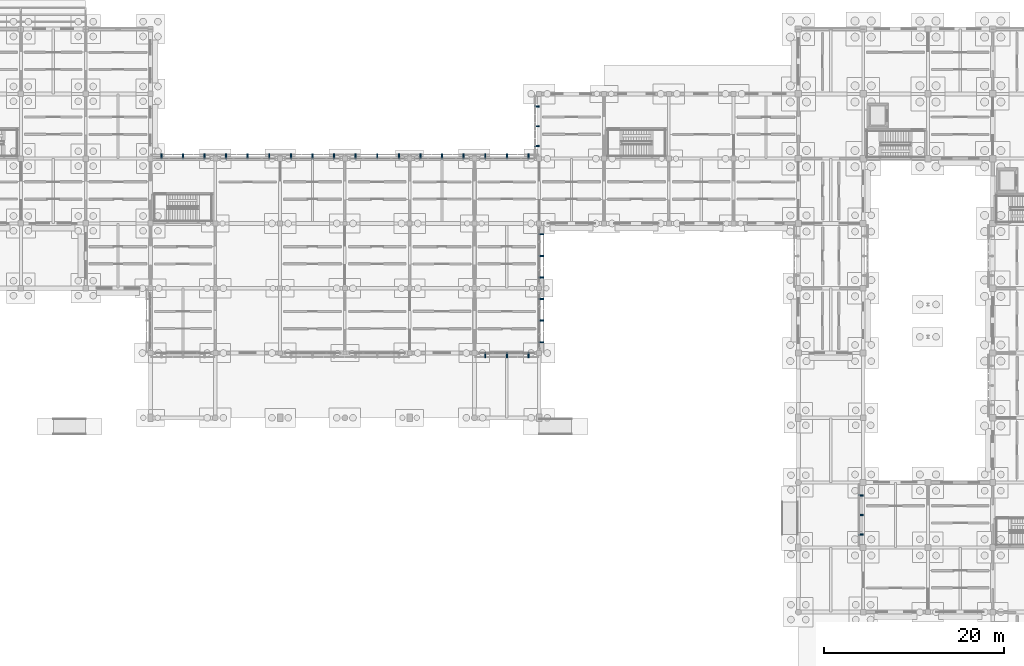
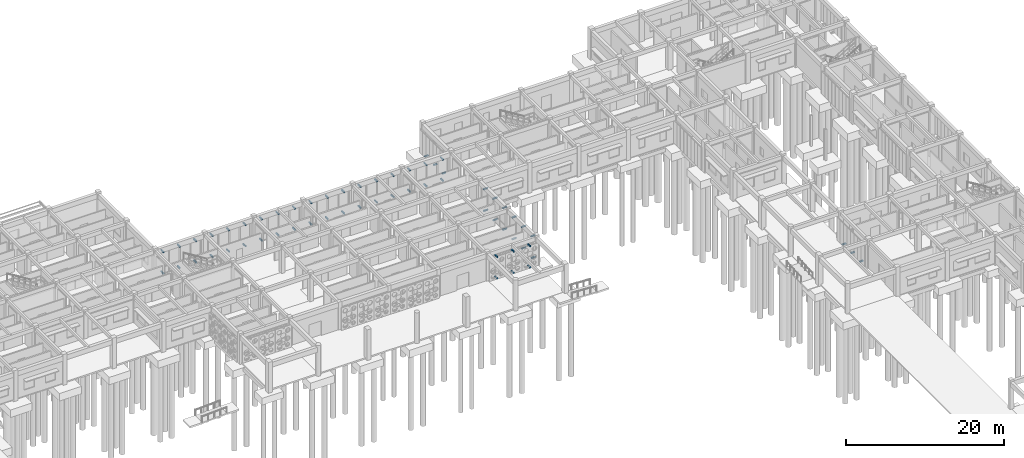
# One storey, part 89 of 111: 60 discrete accessories.
"""IFC4 building model written with IfcOpenShell, lengths in metres."""

import ifcopenshell
import ifcopenshell.guid

model = None  # the IFC model being written
_history = None  # IfcOwnerHistory: only IFC2X3 demands one
_inside = {}  # id of a spatial element -> (the spatial element, [elements in it])
_under = {}  # id of a project, library or spatial element -> (it, [spatial elements below it])
_declared = {}  # id of a project -> (the project, [libraries it declares])
_typed = {}  # id of a type object -> (the type object, [elements of that type])
_made_of = {}  # id of a material, layer set ... -> (it, [elements and type objects made of it])


def new_model(schema):
    """Start an empty IFC model of exactly this schema.

    Asked for "IFC4X3", IfcOpenShell would pick the latest addendum, in which some entities
    have other attributes; the version numbers below select the first issue.
    IFC2X3 requires an IfcOwnerHistory on every rooted entity: one is made here for all.
    """
    global model, _history
    if schema == "IFC4X3":
        model = ifcopenshell.file(schema_version=(4, 3, 0, 0))
    else:
        model = ifcopenshell.file(schema=schema)
    _inside.clear()
    _under.clear()
    _declared.clear()
    _typed.clear()
    _made_of.clear()
    _history = None
    if model.schema == "IFC2X3":
        org = make("IfcOrganization", Name="unknown")
        user = make(
            "IfcPersonAndOrganization",
            ThePerson=make("IfcPerson", FamilyName="unknown"),
            TheOrganization=org,
        )
        app = make(
            "IfcApplication",
            ApplicationDeveloper=org,
            Version="unknown",
            ApplicationFullName="unknown",
            ApplicationIdentifier="unknown",
        )
        _history = make(
            "IfcOwnerHistory",
            OwningUser=user,
            OwningApplication=app,
            ChangeAction="ADDED",
            CreationDate=0,
        )
    return model


def make(cls, **values):
    """One entity of the class cls with the attributes given. An attribute that is None is left unset."""
    return model.create_entity(
        cls, **{name: value for name, value in values.items() if value is not None}
    )


def rooted(cls, **values):
    """An entity with a GlobalId (a new one), such as an element, a storey or a relation."""
    return make(cls, GlobalId=ifcopenshell.guid.new(), OwnerHistory=_history, **values)


def si_unit(unit_type, name, prefix=None):
    """IfcSIUnit, for example si_unit("LENGTHUNIT", "METRE", prefix="MILLI")."""
    return make("IfcSIUnit", UnitType=unit_type, Prefix=prefix, Name=name)


def assignment(units):
    """IfcUnitAssignment: the units of a project."""
    return None if units is None else make("IfcUnitAssignment", Units=units)


def point(xyz):
    """IfcCartesianPoint."""
    return None if xyz is None else make("IfcCartesianPoint", Coordinates=xyz)


def direction(xyz):
    """IfcDirection."""
    return None if xyz is None else make("IfcDirection", DirectionRatios=xyz)


def frame(location, z_axis=None, x_axis=None):
    """IfcAxis2Placement3D, a coordinate frame: its origin and axes. An axis left out is left unset."""
    return make(
        "IfcAxis2Placement3D",
        Location=point(location),
        Axis=direction(z_axis),
        RefDirection=direction(x_axis),
    )


def frame_2d(location, x_axis=None):
    """IfcAxis2Placement2D, a coordinate frame in the plane: its origin and x axis."""
    return make(
        "IfcAxis2Placement2D", Location=point(location), RefDirection=direction(x_axis)
    )


def origin():
    """The frame at (0, 0, 0) with its axes left unset."""
    return frame((0.0, 0.0, 0.0))


def origin_2d():
    """The frame at (0, 0) in the plane with its x axis left unset."""
    return frame_2d((0.0, 0.0))


def place(relative_to, where):
    """IfcLocalPlacement: puts the frame where relative to a parent placement (None: the world)."""
    return make(
        "IfcLocalPlacement", PlacementRelTo=relative_to, RelativePlacement=where
    )


def context(
    kind, dimensions, precision=None, world=None, true_north=None, identifier=None
):
    """IfcGeometricRepresentationContext, for example the 3D "Model" context."""
    return make(
        "IfcGeometricRepresentationContext",
        ContextIdentifier=identifier,
        ContextType=kind,
        CoordinateSpaceDimension=dimensions,
        Precision=precision,
        WorldCoordinateSystem=world,
        TrueNorth=true_north,
    )


def subcontext(parent, identifier, kind, view, scale=None):
    """IfcGeometricRepresentationSubContext, for example "Body" below "Model"."""
    return make(
        "IfcGeometricRepresentationSubContext",
        ContextIdentifier=identifier,
        ContextType=kind,
        ParentContext=parent,
        TargetScale=scale,
        TargetView=view,
    )


def project(units=None, contexts=None):
    """IfcProject with its units and contexts."""
    return rooted(
        "IfcProject",
        Name="project",
        RepresentationContexts=contexts,
        UnitsInContext=assignment(units),
    )


def spatial(cls, under=None, at=None, **own):
    """A site, building, storey or space (cls), placed at a placement, below another one or the project."""
    s = rooted(cls, ObjectPlacement=at, **own)
    if under is not None:
        _under.setdefault(under.id(), (under, []))[1].append(s)
    return s


def profile(cls, at=None, kind="AREA", **sizes):
    """A parametric profile (cls). Its sizes go by their IFC names, for example OverallWidth=200.0."""
    return make(cls, ProfileType=kind, Position=at, **sizes)


def rectangle(**sizes):
    """IfcRectangleProfileDef."""
    return profile("IfcRectangleProfileDef", **sizes)


def extrude(swept, where, along, depth):
    """IfcExtrudedAreaSolid: the profile swept, set in the frame where, extruded along a direction by depth."""
    return make(
        "IfcExtrudedAreaSolid",
        SweptArea=swept,
        Position=where,
        ExtrudedDirection=direction(along),
        Depth=depth,
    )


def shape(context_of_items, identifier, shape_type, items):
    """IfcShapeRepresentation: the items that make up one representation, for example the "Body"."""
    return make(
        "IfcShapeRepresentation",
        ContextOfItems=context_of_items,
        RepresentationIdentifier=identifier,
        RepresentationType=shape_type,
        Items=items,
    )


def material(Name=None, Category=None):
    """IfcMaterial."""
    return make("IfcMaterial", Name=Name, Category=Category)


def made_of(thing, what):
    """Note that an element or type object is made of a material, layer set ...; save() writes the relation."""
    if what is not None:
        _made_of.setdefault(what.id(), (what, []))[1].append(thing)
    return thing


def type_object(cls, material=None, **own):
    """A type object (cls), such as IfcWallType, which elements share."""
    return made_of(rooted(cls, **own), material)


def element(
    cls,
    number,
    at=None,
    inside=None,
    cuts=None,
    type_object=None,
    material=None,
    context=None,
    identifier="Body",
    shape_type=None,
    held_by="IfcProductDefinitionShape",
    body=None,
    shapes=None,
    **own,
):
    """One element of the class cls, such as IfcWall. Its Tag is "e" and its number.

    at: its placement. inside: the storey or other place that contains it. cuts: it is an
    opening in that element (IfcRelVoidsElement). A single representation is given by context,
    identifier, shape_type and body (its items); several are given by shapes. held_by: the class
    of the entity that holds the representations. save() writes the other relations.
    """
    e = rooted(cls, Tag="e%d" % number, ObjectPlacement=at, **own)
    if body is not None:
        shapes = [shape(context, identifier, shape_type, body)]
    if shapes is not None:
        e.Representation = make(held_by, Representations=shapes)
    if inside is not None:
        _inside.setdefault(inside.id(), (inside, []))[1].append(e)
    if cuts is not None:
        rooted(
            "IfcRelVoidsElement", RelatingBuildingElement=cuts, RelatedOpeningElement=e
        )
    if type_object is not None:
        _typed.setdefault(type_object.id(), (type_object, []))[1].append(e)
    return made_of(e, material)


def aggregate(whole, parts):
    """IfcRelAggregates: a whole, such as a stair, and the parts it consists of."""
    return rooted("IfcRelAggregates", RelatingObject=whole, RelatedObjects=parts)


def save(model, path):
    """Write the relations noted so far, then the file.

    IfcRelAggregates (storeys below a building ...), IfcRelContainedInSpatialStructure (elements
    in a storey), IfcRelDefinesByType, IfcRelAssociatesMaterial and IfcRelDeclares: one each for
    every whole, place, type object, material and project.
    """
    for whole, parts in _under.values():
        aggregate(whole, parts)
    for where, things in _inside.values():
        rooted(
            "IfcRelContainedInSpatialStructure",
            RelatedElements=things,
            RelatingStructure=where,
        )
    for kind, things in _typed.values():
        rooted("IfcRelDefinesByType", RelatedObjects=things, RelatingType=kind)
    for what, things in _made_of.values():
        rooted("IfcRelAssociatesMaterial", RelatedObjects=things, RelatingMaterial=what)
    for by, libraries in _declared.values():
        rooted("IfcRelDeclares", RelatingContext=by, RelatedDefinitions=libraries)
    model.write(path)


model = new_model("IFC4")

# Units and contexts
model_context = context("Model", 3, precision=1e-05, world=origin(), true_north=direction((0.0, 1.0)))
body_context = subcontext(model_context, "Body", "Model", "MODEL_VIEW")
ifc_project = project(units=[si_unit("LENGTHUNIT", "METRE"), si_unit("AREAUNIT", "SQUARE_METRE"), si_unit("VOLUMEUNIT", "CUBIC_METRE"), si_unit("PLANEANGLEUNIT", "RADIAN"), si_unit("MASSUNIT", "GRAM", prefix="KILO")], contexts=[model_context])

# Site, building, storey
site_placement = place(None, origin())
site = spatial("IfcSite", under=ifc_project, at=site_placement, CompositionType="ELEMENT")
building_placement = place(site_placement, origin())
building = spatial("IfcBuilding", under=site, at=building_placement, Name="Aldebral Square Health Centre", CompositionType="ELEMENT")
storey_placement = place(building_placement, origin())
storey = spatial("IfcBuildingStorey", under=building, at=storey_placement, Name="L00", CompositionType="ELEMENT", Elevation=0.0)

# Discrete accessories
ifc_material = material(Name="Steel S355JR", Category="steel")
discrete_accessory_type_1 = type_object("IfcDiscreteAccessoryType", Name="ACC-BRK-1", PredefinedType="BRACKET", material=ifc_material)
for number, where, z_axis, x_axis, name in (
    (1, (107.77001953125, 106.583984375, -0.009765625), (0.0, 0.0, 1.0), (0.0, 1.0, 0.0), "L00 finned curtain-wall bracket L00-V5-15-14-W.1"),
    (2, (107.77001953125, 104.39990234375, -0.009765625), (0.0, 0.0, 1.0), (0.0, 1.0, 0.0), "L00 finned curtain-wall bracket L00-V5-15-14-W.2"),
    (3, (107.77001953125, 102.216064453125, -0.009765625), (0.0, 0.0, 1.0), (0.0, 1.0, 0.0), "L00 finned curtain-wall bracket L00-V5-15-14-W.3"),
    (4, (143.77001953125, 63.384033203125, -0.009765625), (0.0, 0.0, 1.0), (0.0, 1.0, 0.0), "L00 finned curtain-wall bracket L00-V5-20-08-W.1"),
    (5, (143.77001953125, 61.199951171875, -0.009765625), (0.0, 0.0, 1.0), (0.0, 1.0, 0.0), "L00 finned curtain-wall bracket L00-V5-20-08-W.2"),
    (6, (143.77001953125, 59.01611328125, -0.009765625), (0.0, 0.0, 1.0), (0.0, 1.0, 0.0), "L00 finned curtain-wall bracket L00-V5-20-08-W.3"),
):
    element("IfcDiscreteAccessory", number, at=place(storey_placement, frame(where, z_axis=z_axis, x_axis=x_axis)), inside=storey, type_object=discrete_accessory_type_1, Name=name, PredefinedType="BRACKET", context=body_context, shape_type="SweptSolid", body=[
        extrude(rectangle(XDim=0.159912109375, YDim=0.52001953125, at=origin_2d()), origin(), (0.0, 0.0, 1.0), 0.139892578125),
    ])
discrete_accessory_type_2 = type_object("IfcDiscreteAccessoryType", Name="ACC-BRK-2", PredefinedType="BRACKET", material=ifc_material)
for number, where, z_axis, x_axis, name in (
    (7, (70.800048828125, 101.030029296875, 0.0), (0.0, 0.0, 1.0), (1.0, 0.0, 0.0), "L00 screen support bracket L00-V1-09-13-N.1 base"),
    (8, (70.800048828125, 101.030029296875, 3.2900390625), (0.0, 0.0, 1.0), (1.0, 0.0, 0.0), "L00 screen support bracket L00-V1-09-13-N.1 head"),
    (9, (68.39990234375, 101.030029296875, 0.0), (0.0, 0.0, 1.0), (1.0, 0.0, 0.0), "L00 screen support bracket L00-V1-09-13-N.2 base"),
    (10, (68.39990234375, 101.030029296875, 3.2900390625), (0.0, 0.0, 1.0), (1.0, 0.0, 0.0), "L00 screen support bracket L00-V1-09-13-N.2 head"),
    (11, (66.0, 101.030029296875, 0.0), (0.0, 0.0, 1.0), (1.0, 0.0, 0.0), "L00 screen support bracket L00-V1-09-13-N.3 base"),
    (12, (66.0, 101.030029296875, 3.2900390625), (0.0, 0.0, 1.0), (1.0, 0.0, 0.0), "L00 screen support bracket L00-V1-09-13-N.3 head"),
    (13, (78.0, 101.030029296875, 0.0), (0.0, 0.0, 1.0), (1.0, 0.0, 0.0), "L00 screen support bracket L00-V1-10-13-N.1 base"),
    (14, (78.0, 101.030029296875, 3.2900390625), (0.0, 0.0, 1.0), (1.0, 0.0, 0.0), "L00 screen support bracket L00-V1-10-13-N.1 head"),
    (15, (75.60009765625, 101.030029296875, 0.0), (0.0, 0.0, 1.0), (1.0, 0.0, 0.0), "L00 screen support bracket L00-V1-10-13-N.2 base"),
    (16, (75.60009765625, 101.030029296875, 3.2900390625), (0.0, 0.0, 1.0), (1.0, 0.0, 0.0), "L00 screen support bracket L00-V1-10-13-N.2 head"),
    (17, (73.199951171875, 101.030029296875, 0.0), (0.0, 0.0, 1.0), (1.0, 0.0, 0.0), "L00 screen support bracket L00-V1-10-13-N.3 base"),
    (18, (73.199951171875, 101.030029296875, 3.2900390625), (0.0, 0.0, 1.0), (1.0, 0.0, 0.0), "L00 screen support bracket L00-V1-10-13-N.3 head"),
    (19, (85.199951171875, 101.030029296875, 0.0), (0.0, 0.0, 1.0), (1.0, 0.0, 0.0), "L00 screen support bracket L00-V1-11-13-N.1 base"),
    (20, (85.199951171875, 101.030029296875, 3.2900390625), (0.0, 0.0, 1.0), (1.0, 0.0, 0.0), "L00 screen support bracket L00-V1-11-13-N.1 head"),
    (21, (82.800048828125, 101.030029296875, 0.0), (0.0, 0.0, 1.0), (1.0, 0.0, 0.0), "L00 screen support bracket L00-V1-11-13-N.2 base"),
    (22, (82.800048828125, 101.030029296875, 3.2900390625), (0.0, 0.0, 1.0), (1.0, 0.0, 0.0), "L00 screen support bracket L00-V1-11-13-N.2 head"),
    (23, (80.39990234375, 101.030029296875, 0.0), (0.0, 0.0, 1.0), (1.0, 0.0, 0.0), "L00 screen support bracket L00-V1-11-13-N.3 base"),
    (24, (80.39990234375, 101.030029296875, 3.2900390625), (0.0, 0.0, 1.0), (1.0, 0.0, 0.0), "L00 screen support bracket L00-V1-11-13-N.3 head"),
    (25, (92.39990234375, 101.030029296875, 0.0), (0.0, 0.0, 1.0), (1.0, 0.0, 0.0), "L00 screen support bracket L00-V1-12-13-N.1 base"),
    (26, (92.39990234375, 101.030029296875, 3.2900390625), (0.0, 0.0, 1.0), (1.0, 0.0, 0.0), "L00 screen support bracket L00-V1-12-13-N.1 head"),
    (27, (90.0, 101.030029296875, 0.0), (0.0, 0.0, 1.0), (1.0, 0.0, 0.0), "L00 screen support bracket L00-V1-12-13-N.2 base"),
    (28, (90.0, 101.030029296875, 3.2900390625), (0.0, 0.0, 1.0), (1.0, 0.0, 0.0), "L00 screen support bracket L00-V1-12-13-N.2 head"),
    (29, (87.60009765625, 101.030029296875, 0.0), (0.0, 0.0, 1.0), (1.0, 0.0, 0.0), "L00 screen support bracket L00-V1-12-13-N.3 base"),
    (30, (87.60009765625, 101.030029296875, 3.2900390625), (0.0, 0.0, 1.0), (1.0, 0.0, 0.0), "L00 screen support bracket L00-V1-12-13-N.3 head"),
    (31, (99.60009765625, 101.030029296875, 0.0), (0.0, 0.0, 1.0), (1.0, 0.0, 0.0), "L00 screen support bracket L00-V1-13-13-N.1 base"),
    (32, (99.60009765625, 101.030029296875, 3.2900390625), (0.0, 0.0, 1.0), (1.0, 0.0, 0.0), "L00 screen support bracket L00-V1-13-13-N.1 head"),
    (33, (97.199951171875, 101.030029296875, 0.0), (0.0, 0.0, 1.0), (1.0, 0.0, 0.0), "L00 screen support bracket L00-V1-13-13-N.2 base"),
    (34, (97.199951171875, 101.030029296875, 3.2900390625), (0.0, 0.0, 1.0), (1.0, 0.0, 0.0), "L00 screen support bracket L00-V1-13-13-N.2 head"),
    (35, (94.800048828125, 101.030029296875, 0.0), (0.0, 0.0, 1.0), (1.0, 0.0, 0.0), "L00 screen support bracket L00-V1-13-13-N.3 base"),
    (36, (94.800048828125, 101.030029296875, 3.2900390625), (0.0, 0.0, 1.0), (1.0, 0.0, 0.0), "L00 screen support bracket L00-V1-13-13-N.3 head"),
    (37, (102.0, 78.969970703125, 0.0), (0.0, 0.0, 1.0), (1.0, 0.0, 0.0), "L00 screen support bracket L00-V1-14-11-S.1 base"),
    (38, (102.0, 78.969970703125, 3.2900390625), (0.0, 0.0, 1.0), (1.0, 0.0, 0.0), "L00 screen support bracket L00-V1-14-11-S.1 head"),
    (39, (104.39990234375, 78.969970703125, 0.0), (0.0, 0.0, 1.0), (1.0, 0.0, 0.0), "L00 screen support bracket L00-V1-14-11-S.2 base"),
    (40, (104.39990234375, 78.969970703125, 3.2900390625), (0.0, 0.0, 1.0), (1.0, 0.0, 0.0), "L00 screen support bracket L00-V1-14-11-S.2 head"),
    (41, (106.800048828125, 78.969970703125, 0.0), (0.0, 0.0, 1.0), (1.0, 0.0, 0.0), "L00 screen support bracket L00-V1-14-11-S.3 base"),
    (42, (106.800048828125, 78.969970703125, 3.2900390625), (0.0, 0.0, 1.0), (1.0, 0.0, 0.0), "L00 screen support bracket L00-V1-14-11-S.3 head"),
    (43, (108.22998046875, 80.39990234375, 0.0), (0.0, 0.0, 1.0), (0.0, 1.0, 0.0), "L00 screen support bracket L00-V1-14-11-E.1 base"),
    (44, (108.22998046875, 80.39990234375, 3.33984375), (0.0, 0.0, 1.0), (0.0, 1.0, 0.0), "L00 screen support bracket L00-V1-14-11-E.1 head"),
    (45, (108.22998046875, 82.800048828125, 0.0), (0.0, 0.0, 1.0), (0.0, 1.0, 0.0), "L00 screen support bracket L00-V1-14-11-E.2 base"),
    (46, (108.22998046875, 82.800048828125, 3.33984375), (0.0, 0.0, 1.0), (0.0, 1.0, 0.0), "L00 screen support bracket L00-V1-14-11-E.2 head"),
    (47, (108.22998046875, 85.199951171875, 0.0), (0.0, 0.0, 1.0), (0.0, 1.0, 0.0), "L00 screen support bracket L00-V1-14-11-E.3 base"),
    (48, (108.22998046875, 85.199951171875, 3.33984375), (0.0, 0.0, 1.0), (0.0, 1.0, 0.0), "L00 screen support bracket L00-V1-14-11-E.3 head"),
    (49, (108.22998046875, 87.60009765625, 0.0), (0.0, 0.0, 1.0), (0.0, 1.0, 0.0), "L00 screen support bracket L00-V1-14-12-E.1 base"),
    (50, (108.22998046875, 87.60009765625, 3.33984375), (0.0, 0.0, 1.0), (0.0, 1.0, 0.0), "L00 screen support bracket L00-V1-14-12-E.1 head"),
    (51, (108.22998046875, 90.0, 0.0), (0.0, 0.0, 1.0), (0.0, 1.0, 0.0), "L00 screen support bracket L00-V1-14-12-E.2 base"),
    (52, (108.22998046875, 90.0, 3.33984375), (0.0, 0.0, 1.0), (0.0, 1.0, 0.0), "L00 screen support bracket L00-V1-14-12-E.2 head"),
    (53, (108.22998046875, 92.39990234375, 0.0), (0.0, 0.0, 1.0), (0.0, 1.0, 0.0), "L00 screen support bracket L00-V1-14-12-E.3 base"),
    (54, (108.22998046875, 92.39990234375, 3.33984375), (0.0, 0.0, 1.0), (0.0, 1.0, 0.0), "L00 screen support bracket L00-V1-14-12-E.3 head"),
    (55, (106.800048828125, 101.030029296875, 0.0), (0.0, 0.0, 1.0), (1.0, 0.0, 0.0), "L00 screen support bracket L00-V1-14-13-N.1 base"),
    (56, (106.800048828125, 101.030029296875, 3.2900390625), (0.0, 0.0, 1.0), (1.0, 0.0, 0.0), "L00 screen support bracket L00-V1-14-13-N.1 head"),
    (57, (104.39990234375, 101.030029296875, 0.0), (0.0, 0.0, 1.0), (1.0, 0.0, 0.0), "L00 screen support bracket L00-V1-14-13-N.2 base"),
    (58, (104.39990234375, 101.030029296875, 3.2900390625), (0.0, 0.0, 1.0), (1.0, 0.0, 0.0), "L00 screen support bracket L00-V1-14-13-N.2 head"),
    (59, (102.0, 101.030029296875, 0.0), (0.0, 0.0, 1.0), (1.0, 0.0, 0.0), "L00 screen support bracket L00-V1-14-13-N.3 base"),
    (60, (102.0, 101.030029296875, 3.2900390625), (0.0, 0.0, 1.0), (1.0, 0.0, 0.0), "L00 screen support bracket L00-V1-14-13-N.3 head"),
):
    element("IfcDiscreteAccessory", number, at=place(storey_placement, frame(where, z_axis=z_axis, x_axis=x_axis)), inside=storey, type_object=discrete_accessory_type_2, Name=name, PredefinedType="BRACKET", context=body_context, shape_type="SweptSolid", body=[
        extrude(rectangle(XDim=0.159912109375, YDim=0.60009765625, at=origin_2d()), origin(), (0.0, 0.0, 1.0), 0.179931640625),
    ])

save(model, "model.ifc")
